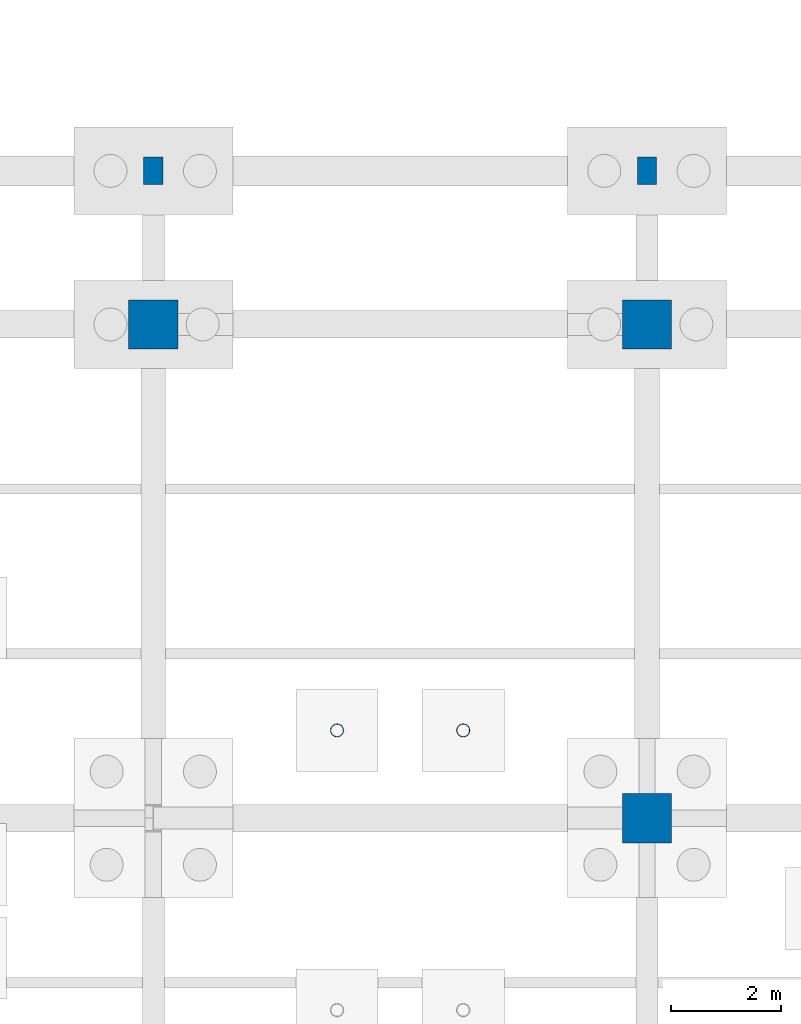
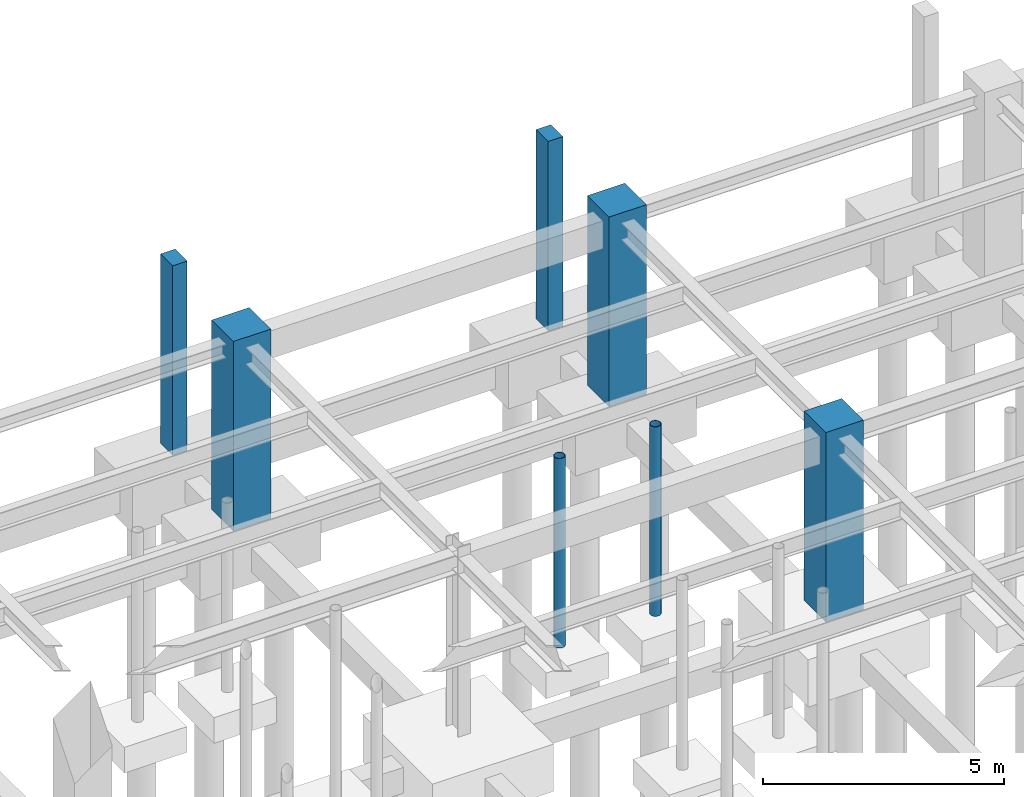
# One storey, part 24 of 49: 7 columns.
"""IFC4 building model written with IfcOpenShell, lengths in metres."""

from ifc_helpers import new_model, si_unit, direction, frame, origin, origin_2d, place, context, subcontext, project, spatial, rectangle, hollow_circle, extrude, material, material_profile, profile_set, type_object, element, save


model = new_model("IFC4")

# Units and contexts
model_context = context("Model", 3, precision=1e-05, world=origin(), true_north=direction((0.0, 1.0)))
body_context = subcontext(model_context, "Body", "Model", "MODEL_VIEW")
ifc_project = project(units=[si_unit("LENGTHUNIT", "METRE"), si_unit("AREAUNIT", "SQUARE_METRE"), si_unit("VOLUMEUNIT", "CUBIC_METRE"), si_unit("PLANEANGLEUNIT", "RADIAN"), si_unit("MASSUNIT", "GRAM", prefix="KILO")], contexts=[model_context])

# Site, building, storey
site_placement = place(None, origin())
site = spatial("IfcSite", under=ifc_project, at=site_placement, CompositionType="ELEMENT")
building_placement = place(site_placement, origin())
building = spatial("IfcBuilding", under=site, at=building_placement, Name="Lykobir Media Centre", CompositionType="ELEMENT")
storey_placement = place(building_placement, frame((0.0, 0.0, -4.800048828125)))
storey = spatial("IfcBuildingStorey", under=building, at=storey_placement, Name="B1", CompositionType="ELEMENT", Elevation=-4.800048828125)

# Columns
ifc_material_1 = material(Name="Honed Travertine Stone", Category="masonry")
ifc_material_profile_1 = material_profile(ifc_material_1, rectangle(XDim=0.35009765625, YDim=0.5, at=origin_2d()), Name="RC PILASTER 500x350")
ifc_profile_set_1 = profile_set([ifc_material_profile_1], Name="Honed Travertine Stone")
column_type_1 = type_object("IfcColumnType", Name="PIL-500", PredefinedType="PILASTER", material=ifc_profile_set_1)
for number, where, z_axis, x_axis, name in (
    (1, (54.0, 110.800048828125, 0.0), (0.0, 0.0, 1.0), (1.0, 0.0, 0.0), "North Revak B1 pier 54.0"),
    (2, (63.0, 110.800048828125, 0.0), (0.0, 0.0, 1.0), (1.0, 0.0, 0.0), "North Revak B1 pier 63.0"),
):
    element("IfcColumn", number, at=place(storey_placement, frame(where, z_axis=z_axis, x_axis=x_axis)), inside=storey, type_object=column_type_1, Name=name, PredefinedType="PILASTER", context=body_context, shape_type="SweptSolid", body=[
        extrude(rectangle(XDim=0.35009765625, YDim=0.5, at=origin_2d()), origin(), (0.0, 0.0, 1.0), 4.800048828125),
    ])
ifc_material_2 = material(Name="Concrete C40/50", Category="concrete")
ifc_material_profile_2 = material_profile(ifc_material_2, rectangle(XDim=0.89990234375, YDim=0.89990234375, at=origin_2d()), Name="RC 900x900")
ifc_profile_set_2 = profile_set([ifc_material_profile_2], Name="Concrete C40/50")
column_type_2 = type_object("IfcColumnType", Name="RC-C900", PredefinedType="COLUMN", material=ifc_profile_set_2)
column_placement = place(storey_placement, frame((63.0, 99.0, 0.0), z_axis=(0.0, 0.0, 1.0), x_axis=(1.0, 0.0, 0.0)))
element("IfcColumn", 3, at=column_placement, inside=storey, type_object=column_type_2, Name="Column COL-B1-0630-0990", PredefinedType="COLUMN", context=body_context, shape_type="SweptSolid", body=[
    extrude(rectangle(XDim=0.89990234375, YDim=0.89990234375, at=origin_2d()), origin(), (0.0, 0.0, 1.0), 4.800048828125),
])
ifc_material_profile_3 = material_profile(ifc_material_2, rectangle(XDim=0.89990234375, YDim=0.89990234375, at=origin_2d()), Name="RC 900x900")
ifc_profile_set_3 = profile_set([ifc_material_profile_3], Name="Concrete C40/50")
column_type_3 = type_object("IfcColumnType", Name="RC-C900-E", PredefinedType="COLUMN", material=ifc_profile_set_3)
for number, where, z_axis, x_axis, name in (
    (4, (54.0, 108.0, 0.0), (0.0, 0.0, 1.0), (1.0, 0.0, 0.0), "Column COL-B1-0540-1080"),
    (5, (63.0, 108.0, 0.0), (0.0, 0.0, 1.0), (1.0, 0.0, 0.0), "Column COL-B1-0630-1080"),
):
    element("IfcColumn", number, at=place(storey_placement, frame(where, z_axis=z_axis, x_axis=x_axis)), inside=storey, type_object=column_type_3, Name=name, PredefinedType="COLUMN", context=body_context, shape_type="SweptSolid", body=[
        extrude(rectangle(XDim=0.89990234375, YDim=0.89990234375, at=origin_2d()), origin(), (0.0, 0.0, 1.0), 4.800048828125),
    ])
ifc_material_3 = material(Name="Steel S355", Category="steel")
ifc_material_profile_4 = material_profile(ifc_material_3, hollow_circle(Radius=0.122314453125, WallThickness=0.012451171875, at=origin_2d()), Name="CHS 244.5x12.5")
ifc_profile_set_4 = profile_set([ifc_material_profile_4], Name="Steel S355")
column_type_4 = type_object("IfcColumnType", Name="SC-CHS244", PredefinedType="COLUMN", material=ifc_profile_set_4)
for number, where, z_axis, x_axis, name in (
    (6, (57.35009765625, 100.60009765625, 0.0), (0.0, 0.0, 1.0), (1.0, 0.0, 0.0), "Valley arrival column B1 A3-574"),
    (7, (59.64990234375, 100.60009765625, 0.0), (0.0, 0.0, 1.0), (1.0, 0.0, 0.0), "Valley arrival column B1 A3-596"),
):
    element("IfcColumn", number, at=place(storey_placement, frame(where, z_axis=z_axis, x_axis=x_axis)), inside=storey, type_object=column_type_4, Name=name, PredefinedType="COLUMN", context=body_context, shape_type="SweptSolid", body=[
        extrude(hollow_circle(Radius=0.122314453125, WallThickness=0.012451171875, at=origin_2d()), origin(), (0.0, 0.0, 1.0), 4.800048828125),
    ])

save(model, "model.ifc")
